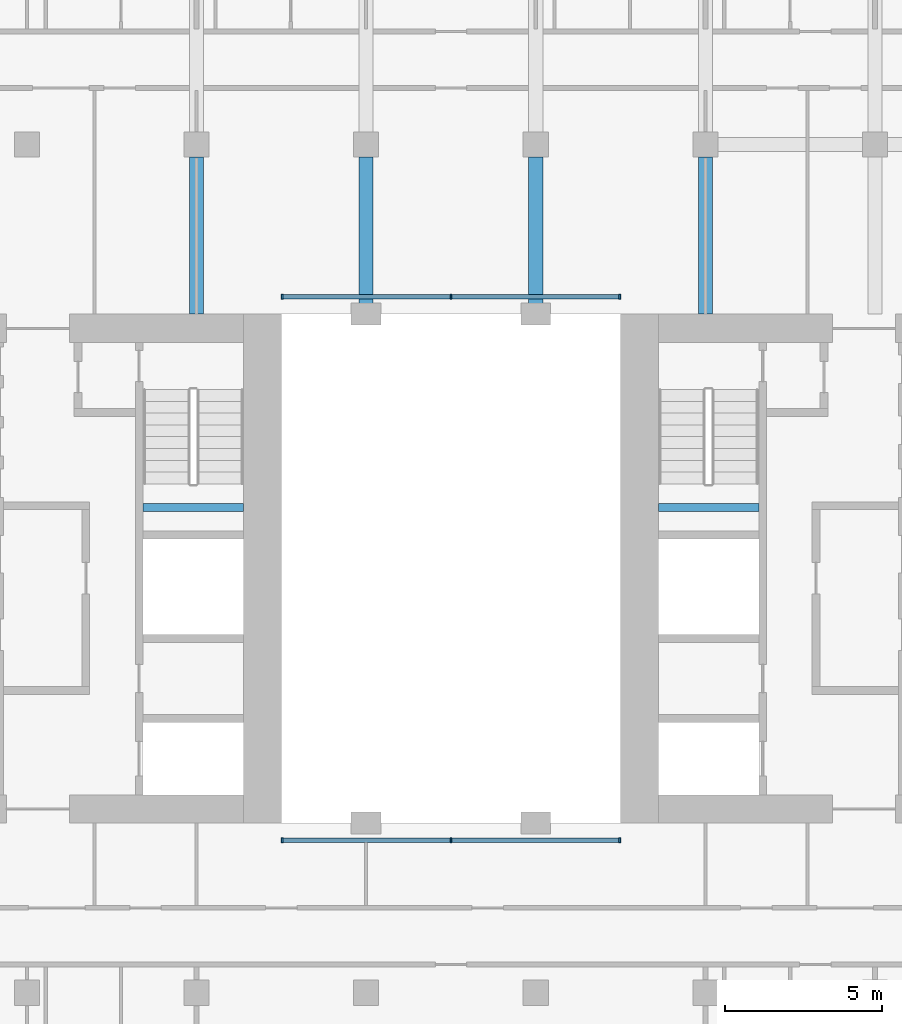
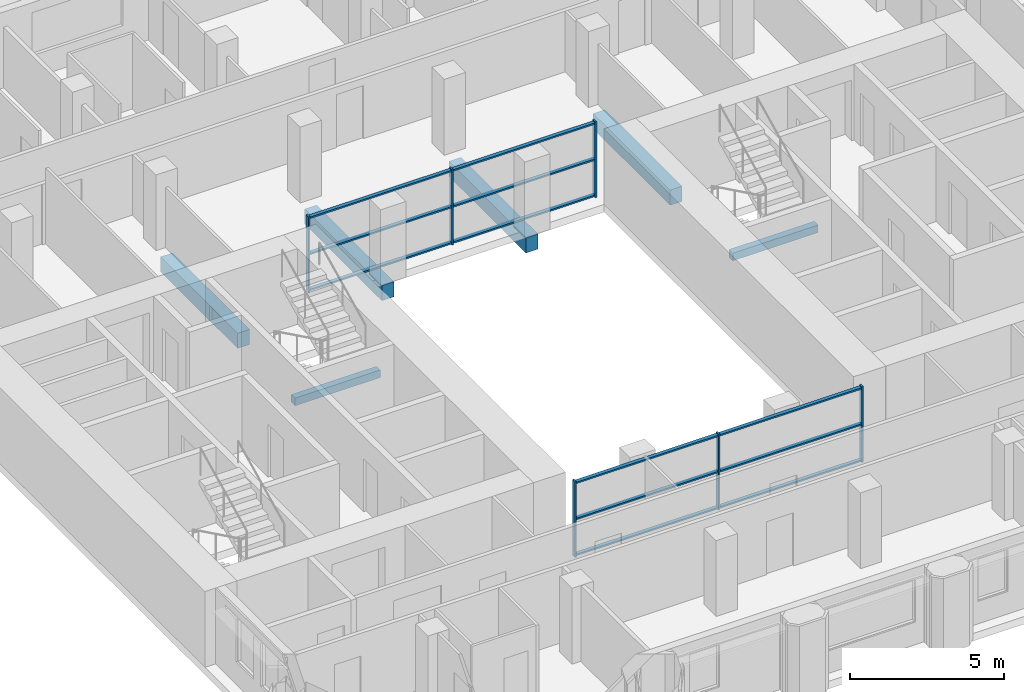
# One storey, part 2 of 12: 18 members, 6 beams, 2 elements without a shape of their own.
"""IFC4 building model written with IfcOpenShell, lengths in metres."""

from ifc_helpers import new_model, si_unit, direction, frame, origin, origin_2d, place, context, subcontext, project, spatial, rectangle, extrude, material, material_profile, profile_set, type_object, element, aggregate, save


model = new_model("IFC4")

# Units and contexts
model_context = context("Model", 3, precision=1e-05, world=origin(), true_north=direction((0.0, 1.0)))
body_context = subcontext(model_context, "Body", "Model", "MODEL_VIEW")
ifc_project = project(units=[si_unit("LENGTHUNIT", "METRE"), si_unit("AREAUNIT", "SQUARE_METRE"), si_unit("VOLUMEUNIT", "CUBIC_METRE"), si_unit("PLANEANGLEUNIT", "RADIAN"), si_unit("MASSUNIT", "GRAM", prefix="KILO")], contexts=[model_context])

# Site, building, storey
site_placement = place(None, origin())
site = spatial("IfcSite", under=ifc_project, at=site_placement, CompositionType="ELEMENT")
building_placement = place(site_placement, origin())
building = spatial("IfcBuilding", under=site, at=building_placement, Name="Tabaq Tower and Sports Hall", CompositionType="ELEMENT")
storey_placement = place(building_placement, frame((0.0, 0.0, 193.89990234375)))
storey = spatial("IfcBuildingStorey", under=building, at=storey_placement, Name="L47", CompositionType="ELEMENT", Elevation=193.89990234375)

# Curtain wall, members
ifc_material_1 = material(Name="Aluminium alloy 6063-T6 framed glazing", Category="aluminium")
curtain_wall_type = type_object("IfcCurtainWallType", Name="CW1 curtain wall", PredefinedType="USERDEFINED", material=ifc_material_1)
curtain_wall_1_placement = place(storey_placement, origin())
curtain_wall_1 = element("IfcCurtainWall", 1, at=curtain_wall_1_placement, inside=storey, type_object=curtain_wall_type, Name="Atrium glazing L47 S", ObjectType="ATRIUM ENCLOSURE", PredefinedType="USERDEFINED")
ifc_material_2 = material(Name="Aluminium alloy 6063-T6", Category="aluminium")
ifc_material_profile_1 = material_profile(ifc_material_2, rectangle(XDim=0.159912109375, YDim=0.06005859375, at=origin_2d()), Name="MULLION 160x60")
ifc_profile_set_1 = profile_set([ifc_material_profile_1], Name="Aluminium alloy 6063-T6")
member_type_1 = type_object("IfcMemberType", Name="CW1 mullion 160x60", PredefinedType="MULLION", material=ifc_profile_set_1)
member_1_placement = place(storey_placement, frame((18.929931640625, 15.64990234375, 0.0), z_axis=(0.0, 0.0, 1.0), x_axis=(0.0, 1.0, 0.0)))
member_1 = element("IfcMember", 2, at=member_1_placement, type_object=member_type_1, Name="CW1 mullion 1", PredefinedType="MULLION", context=body_context, shape_type="SweptSolid", body=[
    extrude(rectangle(XDim=0.159912109375, YDim=0.06005859375, at=origin_2d()), origin(), (0.0, 0.0, 1.0), 3.0),
])
member_2_placement = place(storey_placement, frame((24.300048828125, 15.64990234375, 0.0), z_axis=(0.0, 0.0, 1.0), x_axis=(0.0, 1.0, 0.0)))
member_2 = element("IfcMember", 3, at=member_2_placement, type_object=member_type_1, Name="CW1 mullion 2", PredefinedType="MULLION", context=body_context, shape_type="SweptSolid", body=[
    extrude(rectangle(XDim=0.159912109375, YDim=0.06005859375, at=origin_2d()), origin(), (0.0, 0.0, 1.0), 3.0),
])
member_3_placement = place(storey_placement, frame((29.669921875, 15.64990234375, 0.0), z_axis=(0.0, 0.0, 1.0), x_axis=(0.0, 1.0, 0.0)))
member_3 = element("IfcMember", 4, at=member_3_placement, type_object=member_type_1, Name="CW1 mullion 3", PredefinedType="MULLION", context=body_context, shape_type="SweptSolid", body=[
    extrude(rectangle(XDim=0.159912109375, YDim=0.06005859375, at=origin_2d()), origin(), (0.0, 0.0, 1.0), 3.0),
])

curtain_wall_2_placement = place(storey_placement, origin())
curtain_wall_2 = element("IfcCurtainWall", 5, at=curtain_wall_2_placement, inside=storey, type_object=curtain_wall_type, Name="Atrium glazing L47 N", ObjectType="ATRIUM ENCLOSURE", PredefinedType="USERDEFINED")
member_4_placement = place(storey_placement, frame((18.929931640625, 32.949951171875, 0.0), z_axis=(0.0, 0.0, 1.0), x_axis=(0.0, 1.0, 0.0)))
member_4 = element("IfcMember", 6, at=member_4_placement, type_object=member_type_1, Name="CW1 mullion 1", PredefinedType="MULLION", context=body_context, shape_type="SweptSolid", body=[
    extrude(rectangle(XDim=0.159912109375, YDim=0.06005859375, at=origin_2d()), origin(), (0.0, 0.0, 1.0), 3.0),
])
member_5_placement = place(storey_placement, frame((24.300048828125, 32.949951171875, 0.0), z_axis=(0.0, 0.0, 1.0), x_axis=(0.0, 1.0, 0.0)))
member_5 = element("IfcMember", 7, at=member_5_placement, type_object=member_type_1, Name="CW1 mullion 2", PredefinedType="MULLION", context=body_context, shape_type="SweptSolid", body=[
    extrude(rectangle(XDim=0.159912109375, YDim=0.06005859375, at=origin_2d()), origin(), (0.0, 0.0, 1.0), 3.0),
])
member_6_placement = place(storey_placement, frame((29.669921875, 32.949951171875, 0.0), z_axis=(0.0, 0.0, 1.0), x_axis=(0.0, 1.0, 0.0)))
member_6 = element("IfcMember", 8, at=member_6_placement, type_object=member_type_1, Name="CW1 mullion 3", PredefinedType="MULLION", context=body_context, shape_type="SweptSolid", body=[
    extrude(rectangle(XDim=0.159912109375, YDim=0.06005859375, at=origin_2d()), origin(), (0.0, 0.0, 1.0), 3.0),
])

# Member
ifc_material_3 = material(Name="Aluminium alloy 6063-T6", Category="aluminium")
ifc_material_profile_2 = material_profile(ifc_material_3, rectangle(XDim=0.139892578125, YDim=0.06005859375, at=origin_2d()), Name="TRANSOM 140x60")
ifc_profile_set_2 = profile_set([ifc_material_profile_2], Name="Aluminium alloy 6063-T6")
member_type_2 = type_object("IfcMemberType", Name="CW1 transom 140x60", PredefinedType="USERDEFINED", material=ifc_profile_set_2)
member_7_placement = place(storey_placement, frame((18.9599609375, 15.64990234375, 0.070068359375), z_axis=(1.0, 0.0, 0.0), x_axis=(0.0, 1.0, 0.0)))
member_7 = element("IfcMember", 9, at=member_7_placement, type_object=member_type_2, Name="CW1 transom 1.1", ObjectType="TRANSOM", PredefinedType="USERDEFINED", context=body_context, shape_type="SweptSolid", body=[
    extrude(rectangle(XDim=0.139892578125, YDim=0.06005859375, at=origin_2d()), origin(), (0.0, 0.0, 1.0), 5.31005859375),
])

member_8_placement = place(storey_placement, frame((18.9599609375, 15.64990234375, 1.5), z_axis=(1.0, 0.0, 0.0), x_axis=(0.0, 1.0, 0.0)))
member_8 = element("IfcMember", 10, at=member_8_placement, type_object=member_type_2, Name="CW1 transom 1.2", ObjectType="TRANSOM", PredefinedType="USERDEFINED", context=body_context, shape_type="SweptSolid", body=[
    extrude(rectangle(XDim=0.139892578125, YDim=0.06005859375, at=origin_2d()), origin(), (0.0, 0.0, 1.0), 5.31005859375),
])

member_9_placement = place(storey_placement, frame((18.9599609375, 15.64990234375, 2.93017578125), z_axis=(1.0, 0.0, 0.0), x_axis=(0.0, 1.0, 0.0)))
member_9 = element("IfcMember", 11, at=member_9_placement, type_object=member_type_2, Name="CW1 transom 1.3", ObjectType="TRANSOM", PredefinedType="USERDEFINED", context=body_context, shape_type="SweptSolid", body=[
    extrude(rectangle(XDim=0.139892578125, YDim=0.06005859375, at=origin_2d()), origin(), (0.0, 0.0, 1.0), 5.31005859375),
])

member_10_placement = place(storey_placement, frame((24.330078125, 15.64990234375, 0.070068359375), z_axis=(1.0, 0.0, 0.0), x_axis=(0.0, 1.0, 0.0)))
member_10 = element("IfcMember", 12, at=member_10_placement, type_object=member_type_2, Name="CW1 transom 2.1", ObjectType="TRANSOM", PredefinedType="USERDEFINED", context=body_context, shape_type="SweptSolid", body=[
    extrude(rectangle(XDim=0.139892578125, YDim=0.06005859375, at=origin_2d()), origin(), (0.0, 0.0, 1.0), 5.309814453125),
])

member_11_placement = place(storey_placement, frame((24.330078125, 15.64990234375, 1.5), z_axis=(1.0, 0.0, 0.0), x_axis=(0.0, 1.0, 0.0)))
member_11 = element("IfcMember", 13, at=member_11_placement, type_object=member_type_2, Name="CW1 transom 2.2", ObjectType="TRANSOM", PredefinedType="USERDEFINED", context=body_context, shape_type="SweptSolid", body=[
    extrude(rectangle(XDim=0.139892578125, YDim=0.06005859375, at=origin_2d()), origin(), (0.0, 0.0, 1.0), 5.309814453125),
])

member_12_placement = place(storey_placement, frame((24.330078125, 15.64990234375, 2.93017578125), z_axis=(1.0, 0.0, 0.0), x_axis=(0.0, 1.0, 0.0)))
member_12 = element("IfcMember", 14, at=member_12_placement, type_object=member_type_2, Name="CW1 transom 2.3", ObjectType="TRANSOM", PredefinedType="USERDEFINED", context=body_context, shape_type="SweptSolid", body=[
    extrude(rectangle(XDim=0.139892578125, YDim=0.06005859375, at=origin_2d()), origin(), (0.0, 0.0, 1.0), 5.309814453125),
])

aggregate(curtain_wall_1, [member_1, member_2, member_3, member_7, member_8, member_9, member_10, member_11, member_12])

member_13_placement = place(storey_placement, frame((18.9599609375, 32.949951171875, 0.070068359375), z_axis=(1.0, 0.0, 0.0), x_axis=(0.0, 1.0, 0.0)))
member_13 = element("IfcMember", 15, at=member_13_placement, type_object=member_type_2, Name="CW1 transom 1.1", ObjectType="TRANSOM", PredefinedType="USERDEFINED", context=body_context, shape_type="SweptSolid", body=[
    extrude(rectangle(XDim=0.139892578125, YDim=0.06005859375, at=origin_2d()), origin(), (0.0, 0.0, 1.0), 5.31005859375),
])

member_14_placement = place(storey_placement, frame((18.9599609375, 32.949951171875, 1.5), z_axis=(1.0, 0.0, 0.0), x_axis=(0.0, 1.0, 0.0)))
member_14 = element("IfcMember", 16, at=member_14_placement, type_object=member_type_2, Name="CW1 transom 1.2", ObjectType="TRANSOM", PredefinedType="USERDEFINED", context=body_context, shape_type="SweptSolid", body=[
    extrude(rectangle(XDim=0.139892578125, YDim=0.06005859375, at=origin_2d()), origin(), (0.0, 0.0, 1.0), 5.31005859375),
])

member_15_placement = place(storey_placement, frame((18.9599609375, 32.949951171875, 2.93017578125), z_axis=(1.0, 0.0, 0.0), x_axis=(0.0, 1.0, 0.0)))
member_15 = element("IfcMember", 17, at=member_15_placement, type_object=member_type_2, Name="CW1 transom 1.3", ObjectType="TRANSOM", PredefinedType="USERDEFINED", context=body_context, shape_type="SweptSolid", body=[
    extrude(rectangle(XDim=0.139892578125, YDim=0.06005859375, at=origin_2d()), origin(), (0.0, 0.0, 1.0), 5.31005859375),
])

member_16_placement = place(storey_placement, frame((24.330078125, 32.949951171875, 0.070068359375), z_axis=(1.0, 0.0, 0.0), x_axis=(0.0, 1.0, 0.0)))
member_16 = element("IfcMember", 18, at=member_16_placement, type_object=member_type_2, Name="CW1 transom 2.1", ObjectType="TRANSOM", PredefinedType="USERDEFINED", context=body_context, shape_type="SweptSolid", body=[
    extrude(rectangle(XDim=0.139892578125, YDim=0.06005859375, at=origin_2d()), origin(), (0.0, 0.0, 1.0), 5.309814453125),
])

member_17_placement = place(storey_placement, frame((24.330078125, 32.949951171875, 1.5), z_axis=(1.0, 0.0, 0.0), x_axis=(0.0, 1.0, 0.0)))
member_17 = element("IfcMember", 19, at=member_17_placement, type_object=member_type_2, Name="CW1 transom 2.2", ObjectType="TRANSOM", PredefinedType="USERDEFINED", context=body_context, shape_type="SweptSolid", body=[
    extrude(rectangle(XDim=0.139892578125, YDim=0.06005859375, at=origin_2d()), origin(), (0.0, 0.0, 1.0), 5.309814453125),
])

member_18_placement = place(storey_placement, frame((24.330078125, 32.949951171875, 2.93017578125), z_axis=(1.0, 0.0, 0.0), x_axis=(0.0, 1.0, 0.0)))
member_18 = element("IfcMember", 20, at=member_18_placement, type_object=member_type_2, Name="CW1 transom 2.3", ObjectType="TRANSOM", PredefinedType="USERDEFINED", context=body_context, shape_type="SweptSolid", body=[
    extrude(rectangle(XDim=0.139892578125, YDim=0.06005859375, at=origin_2d()), origin(), (0.0, 0.0, 1.0), 5.309814453125),
])

aggregate(curtain_wall_2, [member_4, member_5, member_6, member_13, member_14, member_15, member_16, member_17, member_18])

# Beams
ifc_material_4 = material(Name="Concrete C40/50", Category="concrete")
ifc_material_profile_3 = material_profile(ifc_material_4, rectangle(XDim=0.449951171875, YDim=0.60009765625, at=origin_2d()), Name="CB 450x600")
ifc_profile_set_3 = profile_set([ifc_material_profile_3], Name="Concrete C40/50")
beam_type_1 = type_object("IfcBeamType", Name="PT CANTILEVER BEAM CB 450x600 C40/50", PredefinedType="BEAM", material=ifc_profile_set_3)
for number, where, z_axis, x_axis, name in (
    (21, (16.199951171875, 37.39990234375, -0.599853515625), (0.0, -1.0, 0.0), (1.0, 0.0, 0.0), "Cantilever Beam L47 N3 span 3"),
    (22, (21.60009765625, 37.39990234375, -0.599853515625), (0.0, -1.0, 0.0), (1.0, 0.0, 0.0), "Cantilever Beam L47 N4 span 3"),
    (23, (27.0, 37.39990234375, -0.599853515625), (0.0, -1.0, 0.0), (1.0, 0.0, 0.0), "Cantilever Beam L47 N5 span 3"),
    (24, (32.39990234375, 37.39990234375, -0.599853515625), (0.0, -1.0, 0.0), (1.0, 0.0, 0.0), "Cantilever Beam L47 N6 span 3"),
):
    element("IfcBeam", number, at=place(storey_placement, frame(where, z_axis=z_axis, x_axis=x_axis)), inside=storey, type_object=beam_type_1, Name=name, PredefinedType="BEAM", context=body_context, shape_type="SweptSolid", body=[
        extrude(rectangle(XDim=0.449951171875, YDim=0.60009765625, at=origin_2d()), origin(), (0.0, 0.0, 1.0), 5.0),
    ])
ifc_material_5 = material(Name="Concrete C40/50", Category="concrete")
ifc_material_profile_4 = material_profile(ifc_material_5, rectangle(XDim=0.25, YDim=0.300048828125, at=origin_2d()), Name="RC 250x300")
ifc_profile_set_4 = profile_set([ifc_material_profile_4], Name="Concrete C40/50")
beam_type_2 = type_object("IfcBeamType", Name="Stair landing beam 250x300", PredefinedType="BEAM", material=ifc_profile_set_4)
beam_1_placement = place(storey_placement, frame((14.5, 26.25, 1.300048828125), z_axis=(1.0, 0.0, 0.0), x_axis=(0.0, 1.0, 0.0)))
element("IfcBeam", 25, at=beam_1_placement, inside=storey, type_object=beam_type_2, Name="L47 ST2 landing beam 1", PredefinedType="BEAM", context=body_context, shape_type="SweptSolid", body=[
    extrude(rectangle(XDim=0.25, YDim=0.300048828125, at=origin_2d()), origin(), (0.0, 0.0, 1.0), 3.199951171875),
])
beam_2_placement = place(storey_placement, frame((30.89990234375, 26.25, 1.300048828125), z_axis=(1.0, 0.0, 0.0), x_axis=(0.0, 1.0, 0.0)))
element("IfcBeam", 26, at=beam_2_placement, inside=storey, type_object=beam_type_2, Name="L47 ST4 landing beam 1", PredefinedType="BEAM", context=body_context, shape_type="SweptSolid", body=[
    extrude(rectangle(XDim=0.25, YDim=0.300048828125, at=origin_2d()), origin(), (0.0, 0.0, 1.0), 3.2001953125),
])

save(model, "model.ifc")
